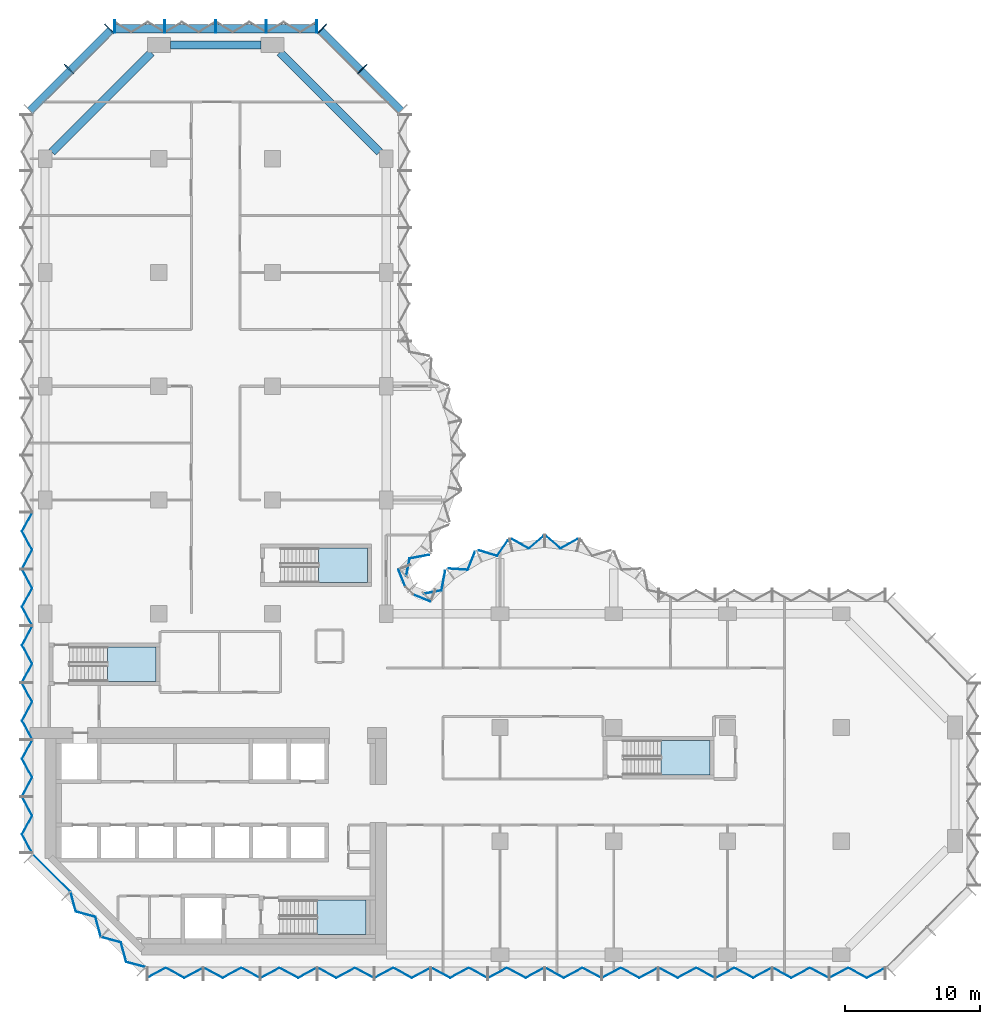
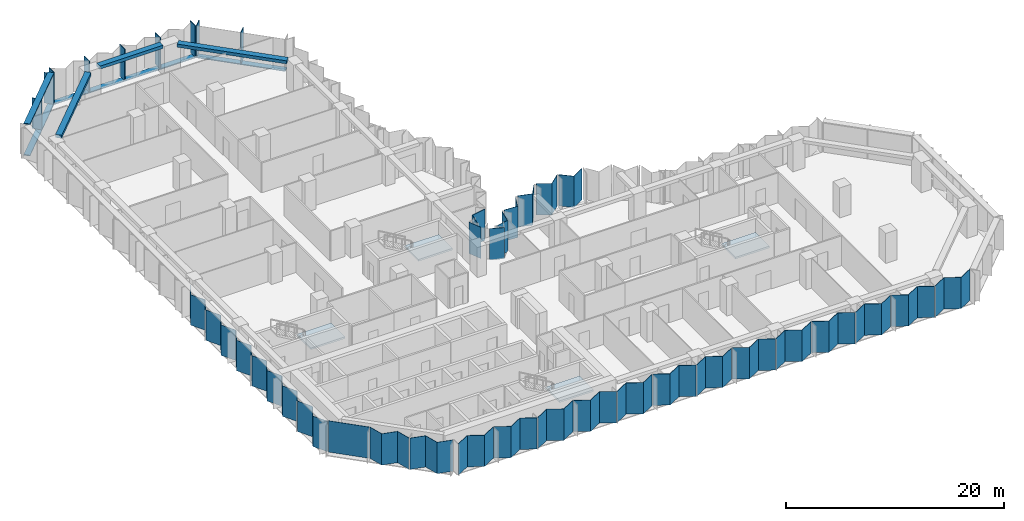
# One storey, part 5 of 13: 30 plates, 13 members, 4 slabs, 3 beams, 13 elements without a shape of their own.
"""IFC4 building model written with IfcOpenShell, lengths in metres."""

from ifc_helpers import new_model, si_unit, direction, frame, origin, origin_2d, place, context, subcontext, project, spatial, polyline, rectangle, outline, extrude, material, layer, layer_set, material_profile, profile_set, type_object, element, aggregate, save


model = new_model("IFC4")

# Units and contexts
model_context = context("Model", 3, precision=1e-05, world=origin(), true_north=direction((0.0, 1.0)))
body_context = subcontext(model_context, "Body", "Model", "MODEL_VIEW")
ifc_project = project(units=[si_unit("LENGTHUNIT", "METRE"), si_unit("AREAUNIT", "SQUARE_METRE"), si_unit("VOLUMEUNIT", "CUBIC_METRE"), si_unit("PLANEANGLEUNIT", "RADIAN"), si_unit("MASSUNIT", "GRAM", prefix="KILO")], contexts=[model_context])

# Site, building, storey
site_placement = place(None, origin())
site = spatial("IfcSite", under=ifc_project, at=site_placement, CompositionType="ELEMENT")
building_placement = place(site_placement, origin())
building = spatial("IfcBuilding", under=site, at=building_placement, Name="Brevane Broadcast Tower", CompositionType="ELEMENT")
storey_placement = place(building_placement, frame((0.0, 0.0, 131.300048828125)))
storey = spatial("IfcBuildingStorey", under=building, at=storey_placement, Name="L32", CompositionType="ELEMENT", Elevation=131.300048828125)

# Curtain wall, members
ifc_material_1 = material(Name="Aluminium 6063-T6 bronze anodised", Category="aluminium")
curtain_wall_type = type_object("IfcCurtainWallType", Name="CW-1 curtain wall", PredefinedType="NOTDEFINED", material=ifc_material_1)
curtain_wall_1_placement = place(storey_placement, origin())
curtain_wall_1 = element("IfcCurtainWall", 1, at=curtain_wall_1_placement, inside=storey, type_object=curtain_wall_type, Name="CW-1 typical tilted unit L32 north arm north-east chamfer", PredefinedType="NOTDEFINED")
ifc_material_profile_1 = material_profile(ifc_material_1, rectangle(XDim=0.949951171875, YDim=0.070068359375, at=origin_2d()), Name="RECT 70x950")
ifc_profile_set_1 = profile_set([ifc_material_profile_1], Name="Aluminium 6063-T6 bronze anodised")
member_type_1 = type_object("IfcMemberType", Name="CW-1 mullion 70x950", PredefinedType="MULLION", material=ifc_profile_set_1)
member_1_placement = place(storey_placement, frame((23.435791015625, 65.435791015625, -0.150146484375), z_axis=(0.0, 0.0, 1.0), x_axis=(-0.707106781187, -0.707106781187, 0.0)))
member_1 = element("IfcMember", 2, at=member_1_placement, type_object=member_type_1, Name="CW-1 mullion", PredefinedType="MULLION", context=body_context, shape_type="SweptSolid", body=[
    extrude(rectangle(XDim=0.949951171875, YDim=0.070068359375, at=origin_2d()), origin(), (0.0, 0.0, 1.0), 3.5),
])
member_2_placement = place(storey_placement, frame((20.460693359375, 68.4111328125, -0.150146484375), z_axis=(0.0, 0.0, 1.0), x_axis=(-0.707106781187, -0.707106781187, 0.0)))
member_2 = element("IfcMember", 3, at=member_2_placement, type_object=member_type_1, Name="CW-1 mullion", PredefinedType="MULLION", context=body_context, shape_type="SweptSolid", body=[
    extrude(rectangle(XDim=0.949951171875, YDim=0.070068359375, at=origin_2d()), origin(), (0.0, 0.0, 1.0), 3.5),
])

curtain_wall_2_placement = place(storey_placement, origin())
curtain_wall_2 = element("IfcCurtainWall", 4, at=curtain_wall_2_placement, inside=storey, type_object=curtain_wall_type, Name="CW-1 typical tilted unit L32 north end", PredefinedType="NOTDEFINED")
member_3_placement = place(storey_placement, frame((20.06494140625, 68.574951171875, -0.150146484375), z_axis=(0.0, 0.0, 1.0), x_axis=(0.0, -1.0, 0.0)))
member_3 = element("IfcMember", 5, at=member_3_placement, type_object=member_type_1, Name="CW-1 mullion", PredefinedType="MULLION", context=body_context, shape_type="SweptSolid", body=[
    extrude(rectangle(XDim=0.949951171875, YDim=0.070068359375, at=origin_2d()), origin(), (0.0, 0.0, 1.0), 3.5),
])
member_4_placement = place(storey_placement, frame((16.35009765625, 68.574951171875, -0.150146484375), z_axis=(0.0, 0.0, 1.0), x_axis=(0.0, -1.0, 0.0)))
member_4 = element("IfcMember", 6, at=member_4_placement, type_object=member_type_1, Name="CW-1 mullion", PredefinedType="MULLION", context=body_context, shape_type="SweptSolid", body=[
    extrude(rectangle(XDim=0.949951171875, YDim=0.070068359375, at=origin_2d()), origin(), (0.0, 0.0, 1.0), 3.5),
])
member_5_placement = place(storey_placement, frame((12.60009765625, 68.574951171875, -0.150146484375), z_axis=(0.0, 0.0, 1.0), x_axis=(0.0, -1.0, 0.0)))
member_5 = element("IfcMember", 7, at=member_5_placement, type_object=member_type_1, Name="CW-1 mullion", PredefinedType="MULLION", context=body_context, shape_type="SweptSolid", body=[
    extrude(rectangle(XDim=0.949951171875, YDim=0.070068359375, at=origin_2d()), origin(), (0.0, 0.0, 1.0), 3.5),
])
member_6_placement = place(storey_placement, frame((8.85009765625, 68.574951171875, -0.150146484375), z_axis=(0.0, 0.0, 1.0), x_axis=(0.0, -1.0, 0.0)))
member_6 = element("IfcMember", 8, at=member_6_placement, type_object=member_type_1, Name="CW-1 mullion", PredefinedType="MULLION", context=body_context, shape_type="SweptSolid", body=[
    extrude(rectangle(XDim=0.949951171875, YDim=0.070068359375, at=origin_2d()), origin(), (0.0, 0.0, 1.0), 3.5),
])
member_7_placement = place(storey_placement, frame((5.135009765625, 68.574951171875, -0.150146484375), z_axis=(0.0, 0.0, 1.0), x_axis=(0.0, -1.0, 0.0)))
member_7 = element("IfcMember", 9, at=member_7_placement, type_object=member_type_1, Name="CW-1 mullion", PredefinedType="MULLION", context=body_context, shape_type="SweptSolid", body=[
    extrude(rectangle(XDim=0.949951171875, YDim=0.070068359375, at=origin_2d()), origin(), (0.0, 0.0, 1.0), 3.5),
])

curtain_wall_3_placement = place(storey_placement, origin())
curtain_wall_3 = element("IfcCurtainWall", 10, at=curtain_wall_3_placement, inside=storey, type_object=curtain_wall_type, Name="CW-1 typical tilted unit L32 north-west chamfer", PredefinedType="NOTDEFINED")
member_8_placement = place(storey_placement, frame((4.7392578125, 68.4111328125, -0.150146484375), z_axis=(0.0, 0.0, 1.0), x_axis=(0.707106781187, -0.707106781187, 0.0)))
member_8 = element("IfcMember", 11, at=member_8_placement, type_object=member_type_1, Name="CW-1 mullion", PredefinedType="MULLION", context=body_context, shape_type="SweptSolid", body=[
    extrude(rectangle(XDim=0.949951171875, YDim=0.070068359375, at=origin_2d()), origin(), (0.0, 0.0, 1.0), 3.400146484375),
])
member_9_placement = place(storey_placement, frame((1.76416015625, 65.435791015625, -0.150146484375), z_axis=(0.0, 0.0, 1.0), x_axis=(0.707106781187, -0.707106781187, 0.0)))
member_9 = element("IfcMember", 12, at=member_9_placement, type_object=member_type_1, Name="CW-1 mullion", PredefinedType="MULLION", context=body_context, shape_type="SweptSolid", body=[
    extrude(rectangle(XDim=0.949951171875, YDim=0.070068359375, at=origin_2d()), origin(), (0.0, 0.0, 1.0), 3.400146484375),
])

# Member
ifc_material_profile_2 = material_profile(ifc_material_1, rectangle(XDim=0.60009765625, YDim=0.10009765625, at=origin_2d()), Name="RECT 100x600")
ifc_profile_set_2 = profile_set([ifc_material_profile_2], Name="Aluminium 6063-T6 bronze anodised")
member_type_2 = type_object("IfcMemberType", Name="CW-1 transom 100x600", PredefinedType="USERDEFINED", material=ifc_profile_set_2)
member_10_placement = place(storey_placement, frame((26.31201171875, 62.31201171875, -0.199951171875), z_axis=(-0.707106781187, 0.707106781187, 0.0), x_axis=(-0.707106781187, -0.707106781187, 0.0)))
member_10 = element("IfcMember", 13, at=member_10_placement, type_object=member_type_2, Name="CW-1 transom", ObjectType="TRANSOM", PredefinedType="USERDEFINED", context=body_context, shape_type="SweptSolid", body=[
    extrude(rectangle(XDim=0.60009765625, YDim=0.10009765625, at=origin_2d()), origin(), (0.0, 0.0, 1.0), 8.4853515625),
])

aggregate(curtain_wall_1, [member_1, member_2, member_10])

member_11_placement = place(storey_placement, frame((20.10009765625, 68.39990234375, -0.199951171875), z_axis=(-1.0, 0.0, 0.0), x_axis=(0.0, -1.0, 0.0)))
member_11 = element("IfcMember", 14, at=member_11_placement, type_object=member_type_2, Name="CW-1 transom", ObjectType="TRANSOM", PredefinedType="USERDEFINED", context=body_context, shape_type="SweptSolid", body=[
    extrude(rectangle(XDim=0.60009765625, YDim=0.10009765625, at=origin_2d()), origin(), (0.0, 0.0, 1.0), 15.0),
])

aggregate(curtain_wall_2, [member_3, member_4, member_5, member_6, member_7, member_11])

member_12_placement = place(storey_placement, frame((4.887939453125, 68.31201171875, -0.199951171875), z_axis=(-0.707106781187, -0.707106781187, 0.0), x_axis=(0.707106781187, -0.707106781187, 0.0)))
member_12 = element("IfcMember", 15, at=member_12_placement, type_object=member_type_2, Name="CW-1 transom", ObjectType="TRANSOM", PredefinedType="USERDEFINED", context=body_context, shape_type="SweptSolid", body=[
    extrude(rectangle(XDim=0.60009765625, YDim=0.10009765625, at=origin_2d()), origin(), (0.0, 0.0, 1.0), 8.4853515625),
])

member_13_placement = place(storey_placement, frame((4.887939453125, 68.31201171875, 3.300048828125), z_axis=(-0.707106781187, -0.707106781187, 0.0), x_axis=(0.707106781187, -0.707106781187, 0.0)))
member_13 = element("IfcMember", 16, at=member_13_placement, type_object=member_type_2, Name="CW-1 transom", ObjectType="TRANSOM", PredefinedType="USERDEFINED", context=body_context, shape_type="SweptSolid", body=[
    extrude(rectangle(XDim=0.60009765625, YDim=0.10009765625, at=origin_2d()), origin(), (0.0, 0.0, 1.0), 8.4853515625),
])

aggregate(curtain_wall_3, [member_8, member_9, member_12, member_13])

# Beams
ifc_material_2 = material(Name="Concrete C40/50", Category="concrete")
ifc_material_profile_3 = material_profile(ifc_material_2, rectangle(XDim=0.60009765625, YDim=0.35009765625, at=origin_2d()), Name="RC 600x350")
ifc_profile_set_3 = profile_set([ifc_material_profile_3], Name="Concrete C40/50")
beam_type = type_object("IfcBeamType", Name="RC SPANDREL BEAM 600x350 C40/50", PredefinedType="SPANDREL", material=ifc_profile_set_3)
beam_1_placement = place(storey_placement, frame((24.699951171875, 59.300048828125, 3.175048828125), z_axis=(-0.707106781187, 0.707106781187, 0.0), x_axis=(-0.707106781187, -0.707106781187, 0.0)))
element("IfcBeam", 17, at=beam_1_placement, inside=storey, type_object=beam_type, Name="EB1 L32-16", PredefinedType="SPANDREL", context=body_context, shape_type="SweptSolid", body=[
    extrude(rectangle(XDim=0.60009765625, YDim=0.35009765625, at=origin_2d()), origin(), (0.0, 0.0, 1.0), 10.394287109375),
])
beam_2_placement = place(storey_placement, frame((15.949951171875, 67.199951171875, 3.175048828125), z_axis=(-1.0, 0.0, 0.0), x_axis=(0.0, -1.0, 0.0)))
element("IfcBeam", 18, at=beam_2_placement, inside=storey, type_object=beam_type, Name="EB1 L32-17", PredefinedType="SPANDREL", context=body_context, shape_type="SweptSolid", body=[
    extrude(rectangle(XDim=0.60009765625, YDim=0.35009765625, at=origin_2d()), origin(), (0.0, 0.0, 1.0), 6.699951171875),
])
beam_3_placement = place(storey_placement, frame((7.85009765625, 66.64990234375, 3.175048828125), z_axis=(-0.707118524903, -0.707095037275, 0.0), x_axis=(0.707095037275, -0.707118524903, 0.0)))
element("IfcBeam", 19, at=beam_3_placement, inside=storey, type_object=beam_type, Name="EB1 L32-18", PredefinedType="SPANDREL", context=body_context, shape_type="SweptSolid", body=[
    extrude(rectangle(XDim=0.60009765625, YDim=0.35009765625, at=origin_2d()), origin(), (0.0, 0.0, 1.0), 10.39453125),
])

# Curtain wall, plates
curtain_wall_4_placement = place(storey_placement, origin())
curtain_wall_4 = element("IfcCurtainWall", 20, at=curtain_wall_4_placement, inside=storey, type_object=curtain_wall_type, Name="CW-1 typical tilted unit L32 south face", PredefinedType="NOTDEFINED")
ifc_material_3 = material(Name="Laminated glass bronze-tinted", Category="glass")
ifc_layer_1 = layer(ifc_material_3, 0.0400390625)
ifc_layer_set_1 = layer_set([ifc_layer_1], Name="CW tall glass panel 40")
plate_type = type_object("IfcPlateType", Name="CW tall glass panel 40", PredefinedType="CURTAIN_PANEL", material=ifc_layer_set_1)
plate_1_placement = place(storey_placement, frame((0.0, 0.0, -0.150146484375)))
plate_1 = element("IfcPlate", 21, at=plate_1_placement, type_object=plate_type, Name="CW-1 glass panel", PredefinedType="CURTAIN_PANEL", context=body_context, shape_type="SweptSolid", body=[
    extrude(outline(polyline([(7.534912109375, -1.671630859375), (7.534912109375, -1.717041015625), (8.91162109375, -0.97265625), (10.288330078125, -1.717041015625), (11.6650390625, -0.97265625), (11.6650390625, -0.92724609375), (10.288330078125, -1.671630859375), (8.91162109375, -0.92724609375), (7.534912109375, -1.671630859375)])), origin(), (0.0, 0.0, 1.0), 3.5),
])
plate_2_placement = place(storey_placement, frame((0.0, 0.0, -0.150146484375)))
plate_2 = element("IfcPlate", 22, at=plate_2_placement, type_object=plate_type, Name="CW-1 glass panel", PredefinedType="CURTAIN_PANEL", context=body_context, shape_type="SweptSolid", body=[
    extrude(outline(polyline([(11.735107421875, -0.92724609375), (11.735107421875, -0.97265625), (13.11181640625, -1.717041015625), (14.48828125, -0.97265625), (15.864990234375, -1.717041015625), (15.864990234375, -1.671630859375), (14.48828125, -0.92724609375), (13.11181640625, -1.671630859375), (11.735107421875, -0.92724609375)])), origin(), (0.0, 0.0, 1.0), 3.5),
])
plate_3_placement = place(storey_placement, frame((0.0, 0.0, -0.150146484375)))
plate_3 = element("IfcPlate", 23, at=plate_3_placement, type_object=plate_type, Name="CW-1 glass panel", PredefinedType="CURTAIN_PANEL", context=body_context, shape_type="SweptSolid", body=[
    extrude(outline(polyline([(15.93505859375, -1.671630859375), (15.93505859375, -1.717041015625), (17.311767578125, -0.97265625), (18.688232421875, -1.717041015625), (20.06494140625, -0.97265625), (20.06494140625, -0.92724609375), (18.688232421875, -1.671630859375), (17.311767578125, -0.92724609375), (15.93505859375, -1.671630859375)])), origin(), (0.0, 0.0, 1.0), 3.5),
])
plate_4_placement = place(storey_placement, frame((0.0, 0.0, -0.150146484375)))
plate_4 = element("IfcPlate", 24, at=plate_4_placement, type_object=plate_type, Name="CW-1 glass panel", PredefinedType="CURTAIN_PANEL", context=body_context, shape_type="SweptSolid", body=[
    extrude(outline(polyline([(20.135009765625, -0.92724609375), (20.135009765625, -0.97265625), (21.51171875, -1.717041015625), (22.88818359375, -0.97265625), (24.264892578125, -1.717041015625), (24.264892578125, -1.671630859375), (22.88818359375, -0.92724609375), (21.51171875, -1.671630859375), (20.135009765625, -0.92724609375)])), origin(), (0.0, 0.0, 1.0), 3.5),
])
plate_5_placement = place(storey_placement, frame((0.0, 0.0, -0.150146484375)))
plate_5 = element("IfcPlate", 25, at=plate_5_placement, type_object=plate_type, Name="CW-1 glass panel", PredefinedType="CURTAIN_PANEL", context=body_context, shape_type="SweptSolid", body=[
    extrude(outline(polyline([(24.3349609375, -1.671630859375), (24.3349609375, -1.717041015625), (25.711669921875, -0.97265625), (27.08837890625, -1.717041015625), (28.465087890625, -0.97265625), (28.465087890625, -0.92724609375), (27.08837890625, -1.671630859375), (25.711669921875, -0.92724609375), (24.3349609375, -1.671630859375)])), origin(), (0.0, 0.0, 1.0), 3.5),
])
plate_6_placement = place(storey_placement, frame((0.0, 0.0, -0.150146484375)))
plate_6 = element("IfcPlate", 26, at=plate_6_placement, type_object=plate_type, Name="CW-1 glass panel", PredefinedType="CURTAIN_PANEL", context=body_context, shape_type="SweptSolid", body=[
    extrude(outline(polyline([(28.534912109375, -0.92724609375), (28.534912109375, -0.97265625), (29.91162109375, -1.717041015625), (31.288330078125, -0.97265625), (32.6650390625, -1.717041015625), (32.6650390625, -1.671630859375), (31.288330078125, -0.92724609375), (29.91162109375, -1.671630859375), (28.534912109375, -0.92724609375)])), origin(), (0.0, 0.0, 1.0), 3.5),
])
plate_7_placement = place(storey_placement, frame((0.0, 0.0, -0.150146484375)))
plate_7 = element("IfcPlate", 27, at=plate_7_placement, type_object=plate_type, Name="CW-1 glass panel", PredefinedType="CURTAIN_PANEL", context=body_context, shape_type="SweptSolid", body=[
    extrude(outline(polyline([(32.735107421875, -1.671630859375), (32.735107421875, -1.717041015625), (34.11181640625, -0.97265625), (35.48828125, -1.717041015625), (36.864990234375, -0.97265625), (36.864990234375, -0.92724609375), (35.48828125, -1.671630859375), (34.11181640625, -0.92724609375), (32.735107421875, -1.671630859375)])), origin(), (0.0, 0.0, 1.0), 3.5),
])
plate_8_placement = place(storey_placement, frame((0.0, 0.0, -0.150146484375)))
plate_8 = element("IfcPlate", 28, at=plate_8_placement, type_object=plate_type, Name="CW-1 glass panel", PredefinedType="CURTAIN_PANEL", context=body_context, shape_type="SweptSolid", body=[
    extrude(outline(polyline([(36.93505859375, -0.92724609375), (36.93505859375, -0.97265625), (38.311767578125, -1.717041015625), (39.688232421875, -0.97265625), (41.06494140625, -1.717041015625), (41.06494140625, -1.671630859375), (39.688232421875, -0.92724609375), (38.311767578125, -1.671630859375), (36.93505859375, -0.92724609375)])), origin(), (0.0, 0.0, 1.0), 3.5),
])
plate_9_placement = place(storey_placement, frame((0.0, 0.0, -0.150146484375)))
plate_9 = element("IfcPlate", 29, at=plate_9_placement, type_object=plate_type, Name="CW-1 glass panel", PredefinedType="CURTAIN_PANEL", context=body_context, shape_type="SweptSolid", body=[
    extrude(outline(polyline([(41.135009765625, -1.671630859375), (41.135009765625, -1.717041015625), (42.51171875, -0.97265625), (43.88818359375, -1.717041015625), (45.264892578125, -0.97265625), (45.264892578125, -0.92724609375), (43.88818359375, -1.671630859375), (42.51171875, -0.92724609375), (41.135009765625, -1.671630859375)])), origin(), (0.0, 0.0, 1.0), 3.5),
])
plate_10_placement = place(storey_placement, frame((0.0, 0.0, -0.150146484375)))
plate_10 = element("IfcPlate", 30, at=plate_10_placement, type_object=plate_type, Name="CW-1 glass panel", PredefinedType="CURTAIN_PANEL", context=body_context, shape_type="SweptSolid", body=[
    extrude(outline(polyline([(45.3349609375, -0.92724609375), (45.3349609375, -0.97265625), (46.711669921875, -1.717041015625), (48.08837890625, -0.97265625), (49.465087890625, -1.717041015625), (49.465087890625, -1.671630859375), (48.08837890625, -0.92724609375), (46.711669921875, -1.671630859375), (45.3349609375, -0.92724609375)])), origin(), (0.0, 0.0, 1.0), 3.5),
])
plate_11_placement = place(storey_placement, frame((0.0, 0.0, -0.150146484375)))
plate_11 = element("IfcPlate", 31, at=plate_11_placement, type_object=plate_type, Name="CW-1 glass panel", PredefinedType="CURTAIN_PANEL", context=body_context, shape_type="SweptSolid", body=[
    extrude(outline(polyline([(49.534912109375, -1.671630859375), (49.534912109375, -1.717041015625), (50.91162109375, -0.97265625), (52.288330078125, -1.717041015625), (53.6650390625, -0.97265625), (53.6650390625, -0.92724609375), (52.288330078125, -1.671630859375), (50.91162109375, -0.92724609375), (49.534912109375, -1.671630859375)])), origin(), (0.0, 0.0, 1.0), 3.5),
])
plate_12_placement = place(storey_placement, frame((0.0, 0.0, -0.150146484375)))
plate_12 = element("IfcPlate", 32, at=plate_12_placement, type_object=plate_type, Name="CW-1 glass panel", PredefinedType="CURTAIN_PANEL", context=body_context, shape_type="SweptSolid", body=[
    extrude(outline(polyline([(53.735107421875, -0.92724609375), (53.735107421875, -0.97265625), (55.11181640625, -1.717041015625), (56.48828125, -0.97265625), (57.864990234375, -1.717041015625), (57.864990234375, -1.671630859375), (56.48828125, -0.92724609375), (55.11181640625, -1.671630859375), (53.735107421875, -0.92724609375)])), origin(), (0.0, 0.0, 1.0), 3.5),
])
plate_13_placement = place(storey_placement, frame((0.0, 0.0, -0.150146484375)))
plate_13 = element("IfcPlate", 33, at=plate_13_placement, type_object=plate_type, Name="CW-1 glass panel", PredefinedType="CURTAIN_PANEL", context=body_context, shape_type="SweptSolid", body=[
    extrude(outline(polyline([(57.93505859375, -1.671630859375), (57.93505859375, -1.717041015625), (59.311767578125, -0.97265625), (60.688232421875, -1.717041015625), (62.06494140625, -0.97265625), (62.06494140625, -0.92724609375), (60.688232421875, -1.671630859375), (59.311767578125, -0.92724609375), (57.93505859375, -1.671630859375)])), origin(), (0.0, 0.0, 1.0), 3.5),
])
aggregate(curtain_wall_4, [plate_1, plate_2, plate_3, plate_4, plate_5, plate_6, plate_7, plate_8, plate_9, plate_10, plate_11, plate_12, plate_13])

curtain_wall_5_placement = place(storey_placement, origin())
curtain_wall_5 = element("IfcCurtainWall", 34, at=curtain_wall_5_placement, inside=storey, type_object=curtain_wall_type, Name="CW-1 typical tilted unit L32 east bow", PredefinedType="NOTDEFINED")
plate_14_placement = place(storey_placement, frame((0.0, 0.0, -0.150146484375)))
plate_14 = element("IfcPlate", 35, at=plate_14_placement, type_object=plate_type, Name="CW-1 glass panel", PredefinedType="CURTAIN_PANEL", context=body_context, shape_type="SweptSolid", body=[
    extrude(outline(polyline([(39.31640625, 30.68798828125), (39.328369140625, 30.740478515625), (38.069580078125, 30.036376953125), (37.008056640625, 30.94921875), (37.008056640625, 30.896484375), (38.064697265625, 29.98779296875), (39.31640625, 30.68798828125)])), origin(), (0.0, 0.0, 1.0), 3.5),
])
plate_15_placement = place(storey_placement, frame((0.0, 0.0, -0.150146484375)))
plate_15 = element("IfcPlate", 36, at=plate_15_placement, type_object=plate_type, Name="CW-1 glass panel", PredefinedType="CURTAIN_PANEL", context=body_context, shape_type="SweptSolid", body=[
    extrude(outline(polyline([(36.7919921875, 30.896484375), (36.7919921875, 30.94921875), (35.730224609375, 30.036376953125), (34.4716796875, 30.740478515625), (34.483642578125, 30.68798828125), (35.735107421875, 29.98779296875), (36.7919921875, 30.896484375)])), origin(), (0.0, 0.0, 1.0), 3.5),
])
plate_16_placement = place(storey_placement, frame((0.0, 0.0, -0.150146484375)))
plate_16 = element("IfcPlate", 37, at=plate_16_placement, type_object=plate_type, Name="CW-1 glass panel", PredefinedType="CURTAIN_PANEL", context=body_context, shape_type="SweptSolid", body=[
    extrude(outline(polyline([(34.17919921875, 30.57080078125), (34.167236328125, 30.622802734375), (33.364501953125, 29.494384765625), (32.021484375, 29.900634765625), (32.044677734375, 29.851806640625), (33.380615234375, 29.44775390625), (34.17919921875, 30.57080078125)])), origin(), (0.0, 0.0, 1.0), 3.5),
])
plate_17_placement = place(storey_placement, frame((0.0, 0.0, -0.150146484375)))
plate_17 = element("IfcPlate", 38, at=plate_17_placement, type_object=plate_type, Name="CW-1 glass panel", PredefinedType="CURTAIN_PANEL", context=body_context, shape_type="SweptSolid", body=[
    extrude(outline(polyline([(31.753173828125, 29.712890625), (31.729736328125, 29.76171875), (31.198486328125, 28.462890625), (29.816650390625, 28.551025390625), (29.849609375, 28.5087890625), (31.224609375, 28.42138671875), (31.753173828125, 29.712890625)])), origin(), (0.0, 0.0, 1.0), 3.5),
])
plate_18_placement = place(storey_placement, frame((0.0, 0.0, -0.150146484375)))
plate_18 = element("IfcPlate", 39, at=plate_18_placement, type_object=plate_type, Name="CW-1 glass panel", PredefinedType="CURTAIN_PANEL", context=body_context, shape_type="SweptSolid", body=[
    extrude(outline(polyline([(29.568603515625, 28.34375), (29.535888671875, 28.3857421875), (29.2607421875, 26.9423828125), (27.975341796875, 26.690185546875), (28.008544921875, 26.656005859375), (29.294921875, 26.908203125), (29.568603515625, 28.34375)])), origin(), (0.0, 0.0, 1.0), 3.5),
])
aggregate(curtain_wall_5, [plate_14, plate_15, plate_16, plate_17, plate_18])

curtain_wall_6_placement = place(storey_placement, origin())
curtain_wall_6 = element("IfcCurtainWall", 40, at=curtain_wall_6_placement, inside=storey, type_object=curtain_wall_type, Name="CW-1 typical tilted unit L32 inner corner", PredefinedType="NOTDEFINED")
plate_19_placement = place(storey_placement, frame((0.0, 0.0, -0.150146484375)))
plate_19 = element("IfcPlate", 41, at=plate_19_placement, type_object=plate_type, Name="CW-1 glass panel", PredefinedType="CURTAIN_PANEL", context=body_context, shape_type="SweptSolid", body=[
    extrude(outline(polyline([(28.45166015625, 26.07470703125), (28.466796875, 26.111572265625), (27.2021484375, 26.635498046875), (27.17138671875, 26.60498046875), (28.45166015625, 26.07470703125)])), origin(), (0.0, 0.0, 1.0), 3.5),
])
plate_20_placement = place(storey_placement, frame((0.0, 0.0, -0.150146484375)))
plate_20 = element("IfcPlate", 42, at=plate_20_placement, type_object=plate_type, Name="CW-1 glass panel", PredefinedType="CURTAIN_PANEL", context=body_context, shape_type="SweptSolid", body=[
    extrude(outline(polyline([(26.60498046875, 27.17138671875), (26.635498046875, 27.2021484375), (26.111572265625, 28.466796875), (26.07470703125, 28.45166015625), (26.60498046875, 27.17138671875)])), origin(), (0.0, 0.0, 1.0), 3.5),
])
aggregate(curtain_wall_6, [plate_19, plate_20])

# Curtain wall, plate
curtain_wall_7_placement = place(storey_placement, origin())
curtain_wall_7 = element("IfcCurtainWall", 43, at=curtain_wall_7_placement, inside=storey, type_object=curtain_wall_type, Name="CW-1 typical tilted unit L32 north bow", PredefinedType="NOTDEFINED")
plate_21_placement = place(storey_placement, frame((0.0, 0.0, -0.150146484375)))
plate_21 = element("IfcPlate", 44, at=plate_21_placement, type_object=plate_type, Name="CW-1 glass panel", PredefinedType="CURTAIN_PANEL", context=body_context, shape_type="SweptSolid", body=[
    extrude(outline(polyline([(26.656005859375, 28.008544921875), (26.690185546875, 27.975341796875), (26.9423828125, 29.2607421875), (28.3857421875, 29.535888671875), (28.34375, 29.568603515625), (26.908203125, 29.294921875), (26.656005859375, 28.008544921875)])), origin(), (0.0, 0.0, 1.0), 3.5),
])
aggregate(curtain_wall_7, [plate_21])

# Curtain wall, plates
curtain_wall_8_placement = place(storey_placement, origin())
curtain_wall_8 = element("IfcCurtainWall", 45, at=curtain_wall_8_placement, inside=storey, type_object=curtain_wall_type, Name="CW-1 typical tilted unit L32 west face", PredefinedType="NOTDEFINED")
plate_22_placement = place(storey_placement, frame((0.0, 0.0, -0.150146484375)))
plate_22 = element("IfcPlate", 46, at=plate_22_placement, type_object=plate_type, Name="CW-1 glass panel", PredefinedType="CURTAIN_PANEL", context=body_context, shape_type="SweptSolid", body=[
    extrude(outline(polyline([(-0.92724609375, 32.6650390625), (-0.97265625, 32.6650390625), (-1.717041015625, 31.288330078125), (-0.97265625, 29.91162109375), (-1.717041015625, 28.534912109375), (-1.671630859375, 28.534912109375), (-0.92724609375, 29.91162109375), (-1.671630859375, 31.288330078125), (-0.92724609375, 32.6650390625)])), origin(), (0.0, 0.0, 1.0), 3.400146484375),
])
plate_23_placement = place(storey_placement, frame((0.0, 0.0, -0.150146484375)))
plate_23 = element("IfcPlate", 47, at=plate_23_placement, type_object=plate_type, Name="CW-1 glass panel", PredefinedType="CURTAIN_PANEL", context=body_context, shape_type="SweptSolid", body=[
    extrude(outline(polyline([(-1.671630859375, 28.465087890625), (-1.717041015625, 28.465087890625), (-0.97265625, 27.08837890625), (-1.717041015625, 25.711669921875), (-0.97265625, 24.3349609375), (-0.92724609375, 24.3349609375), (-1.671630859375, 25.711669921875), (-0.92724609375, 27.08837890625), (-1.671630859375, 28.465087890625)])), origin(), (0.0, 0.0, 1.0), 3.400146484375),
])
plate_24_placement = place(storey_placement, frame((0.0, 0.0, -0.150146484375)))
plate_24 = element("IfcPlate", 48, at=plate_24_placement, type_object=plate_type, Name="CW-1 glass panel", PredefinedType="CURTAIN_PANEL", context=body_context, shape_type="SweptSolid", body=[
    extrude(outline(polyline([(-0.92724609375, 24.264892578125), (-0.97265625, 24.264892578125), (-1.717041015625, 22.88818359375), (-0.97265625, 21.51171875), (-1.717041015625, 20.135009765625), (-1.671630859375, 20.135009765625), (-0.92724609375, 21.51171875), (-1.671630859375, 22.88818359375), (-0.92724609375, 24.264892578125)])), origin(), (0.0, 0.0, 1.0), 3.400146484375),
])
plate_25_placement = place(storey_placement, frame((0.0, 0.0, -0.150146484375)))
plate_25 = element("IfcPlate", 49, at=plate_25_placement, type_object=plate_type, Name="CW-1 glass panel", PredefinedType="CURTAIN_PANEL", context=body_context, shape_type="SweptSolid", body=[
    extrude(outline(polyline([(-1.671630859375, 20.06494140625), (-1.717041015625, 20.06494140625), (-0.97265625, 18.688232421875), (-1.717041015625, 17.311767578125), (-0.97265625, 15.93505859375), (-0.92724609375, 15.93505859375), (-1.671630859375, 17.311767578125), (-0.92724609375, 18.688232421875), (-1.671630859375, 20.06494140625)])), origin(), (0.0, 0.0, 1.0), 3.400146484375),
])
plate_26_placement = place(storey_placement, frame((0.0, 0.0, -0.150146484375)))
plate_26 = element("IfcPlate", 50, at=plate_26_placement, type_object=plate_type, Name="CW-1 glass panel", PredefinedType="CURTAIN_PANEL", context=body_context, shape_type="SweptSolid", body=[
    extrude(outline(polyline([(-0.92724609375, 15.864990234375), (-0.97265625, 15.864990234375), (-1.717041015625, 14.48828125), (-0.97265625, 13.11181640625), (-1.717041015625, 11.735107421875), (-1.671630859375, 11.735107421875), (-0.92724609375, 13.11181640625), (-1.671630859375, 14.48828125), (-0.92724609375, 15.864990234375)])), origin(), (0.0, 0.0, 1.0), 3.400146484375),
])
plate_27_placement = place(storey_placement, frame((0.0, 0.0, -0.150146484375)))
plate_27 = element("IfcPlate", 51, at=plate_27_placement, type_object=plate_type, Name="CW-1 glass panel", PredefinedType="CURTAIN_PANEL", context=body_context, shape_type="SweptSolid", body=[
    extrude(outline(polyline([(-1.671630859375, 11.6650390625), (-1.717041015625, 11.6650390625), (-0.97265625, 10.288330078125), (-1.717041015625, 8.91162109375), (-0.97265625, 7.534912109375), (-0.92724609375, 7.534912109375), (-1.671630859375, 8.91162109375), (-0.92724609375, 10.288330078125), (-1.671630859375, 11.6650390625)])), origin(), (0.0, 0.0, 1.0), 3.400146484375),
])
aggregate(curtain_wall_8, [plate_22, plate_23, plate_24, plate_25, plate_26, plate_27])

curtain_wall_9_placement = place(storey_placement, origin())
curtain_wall_9 = element("IfcCurtainWall", 52, at=curtain_wall_9_placement, inside=storey, type_object=curtain_wall_type, Name="CW-1 typical tilted unit L32 south-west chamfer", PredefinedType="NOTDEFINED")
plate_28_placement = place(storey_placement, frame((0.0, 0.0, -0.150146484375)))
plate_28 = element("IfcPlate", 53, at=plate_28_placement, type_object=plate_type, Name="CW-1 glass panel", PredefinedType="CURTAIN_PANEL", context=body_context, shape_type="SweptSolid", body=[
    extrude(outline(polyline([(-0.896484375, 7.4541015625), (1.85400390625, 4.70361328125), (1.82568359375, 4.67529296875), (-0.9248046875, 7.42578125), (-0.896484375, 7.4541015625)])), origin(), (0.0, 0.0, 1.0), 3.5),
])
plate_29_placement = place(storey_placement, frame((0.0, 0.0, -0.150146484375)))
plate_29 = element("IfcPlate", 54, at=plate_29_placement, type_object=plate_type, Name="CW-1 glass panel", PredefinedType="CURTAIN_PANEL", context=body_context, shape_type="SweptSolid", body=[
    extrude(outline(polyline([(1.90576171875, 4.65625), (1.873046875, 4.62353515625), (2.263671875, 3.180419921875), (3.706787109375, 2.789794921875), (4.09716796875, 1.3466796875), (4.1298828125, 1.37939453125), (3.739501953125, 2.822509765625), (2.296142578125, 3.212890625), (1.90576171875, 4.65625)])), origin(), (0.0, 0.0, 1.0), 3.5),
])
plate_30_placement = place(storey_placement, frame((0.0, 0.0, -0.150146484375)))
plate_30 = element("IfcPlate", 55, at=plate_30_placement, type_object=plate_type, Name="CW-1 glass panel", PredefinedType="CURTAIN_PANEL", context=body_context, shape_type="SweptSolid", body=[
    extrude(outline(polyline([(4.17919921875, 1.329833984375), (4.146728515625, 1.297119140625), (5.58984375, 0.90673828125), (5.98046875, -0.536376953125), (7.423583984375, -0.927001953125), (7.456298828125, -0.894287109375), (6.012939453125, -0.50390625), (5.62255859375, 0.939453125), (4.17919921875, 1.329833984375)])), origin(), (0.0, 0.0, 1.0), 3.5),
])
aggregate(curtain_wall_9, [plate_28, plate_29, plate_30])

# Stair, slab
ifc_material_4 = material(Name="Concrete C50/60", Category="concrete")
stair_type = type_object("IfcStairType", Name="Exit stair 22 risers", PredefinedType="HALF_TURN_STAIR", material=ifc_material_4)
stair_1_placement = place(storey_placement, origin())
stair_1 = element("IfcStair", 56, at=stair_1_placement, inside=storey, type_object=stair_type, Name="L32 Exit stair ST-1", PredefinedType="HALF_TURN_STAIR")
ifc_layer_2 = layer(ifc_material_4, 0.199951171875)
ifc_layer_set_2 = layer_set([ifc_layer_2], Name="Exit stair landing")
slab_type = type_object("IfcSlabType", Name="Exit stair landing", PredefinedType="LANDING", material=ifc_layer_set_2)
slab_1_placement = place(storey_placement, frame((0.0, 0.0, 1.599853515625)))
slab_1 = element("IfcSlab", 57, at=slab_1_placement, type_object=slab_type, Name="ST-1 landing 1", PredefinedType="LANDING", context=body_context, shape_type="SweptSolid", body=[
    extrude(outline(polyline([(4.60009765625, 20.199951171875), (8.199951171875, 20.199951171875), (8.199951171875, 22.75), (4.60009765625, 22.75), (4.60009765625, 20.199951171875)])), origin(), (0.0, 0.0, 1.0), 0.2001953125),
])
aggregate(stair_1, [slab_1])

stair_2_placement = place(storey_placement, origin())
stair_2 = element("IfcStair", 58, at=stair_2_placement, inside=storey, type_object=stair_type, Name="L32 Exit stair ST-2", PredefinedType="HALF_TURN_STAIR")
slab_2_placement = place(storey_placement, frame((0.0, 0.0, 1.599853515625)))
slab_2 = element("IfcSlab", 59, at=slab_2_placement, type_object=slab_type, Name="ST-2 landing 1", PredefinedType="LANDING", context=body_context, shape_type="SweptSolid", body=[
    extrude(outline(polyline([(20.10009765625, 1.5), (23.699951171875, 1.5), (23.699951171875, 4.050048828125), (20.10009765625, 4.050048828125), (20.10009765625, 1.5)])), origin(), (0.0, 0.0, 1.0), 0.2001953125),
])
aggregate(stair_2, [slab_2])

stair_3_placement = place(storey_placement, origin())
stair_3 = element("IfcStair", 60, at=stair_3_placement, inside=storey, type_object=stair_type, Name="L32 Exit stair ST-3", PredefinedType="HALF_TURN_STAIR")
slab_3_placement = place(storey_placement, frame((0.0, 0.0, 1.599853515625)))
slab_3 = element("IfcSlab", 61, at=slab_3_placement, type_object=slab_type, Name="ST-3 landing 1", PredefinedType="LANDING", context=body_context, shape_type="SweptSolid", body=[
    extrude(outline(polyline([(20.199951171875, 27.5), (23.800048828125, 27.5), (23.800048828125, 30.050048828125), (20.199951171875, 30.050048828125), (20.199951171875, 27.5)])), origin(), (0.0, 0.0, 1.0), 0.2001953125),
])
aggregate(stair_3, [slab_3])

stair_4_placement = place(storey_placement, origin())
stair_4 = element("IfcStair", 62, at=stair_4_placement, inside=storey, type_object=stair_type, Name="L32 Exit stair ST-4", PredefinedType="HALF_TURN_STAIR")
slab_4_placement = place(storey_placement, frame((0.0, 0.0, 1.599853515625)))
slab_4 = element("IfcSlab", 63, at=slab_4_placement, type_object=slab_type, Name="ST-4 landing 1", PredefinedType="LANDING", context=body_context, shape_type="SweptSolid", body=[
    extrude(outline(polyline([(45.5, 13.300048828125), (49.10009765625, 13.300048828125), (49.10009765625, 15.85009765625), (45.5, 15.85009765625), (45.5, 13.300048828125)])), origin(), (0.0, 0.0, 1.0), 0.2001953125),
])
aggregate(stair_4, [slab_4])

save(model, "model.ifc")
